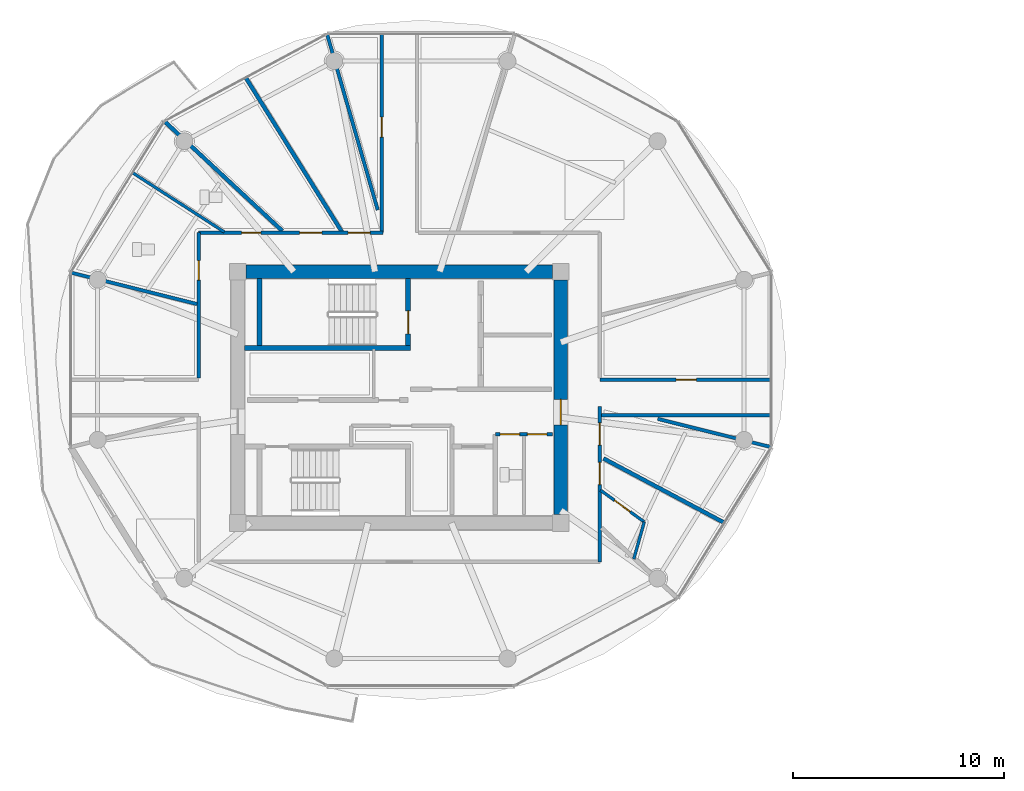
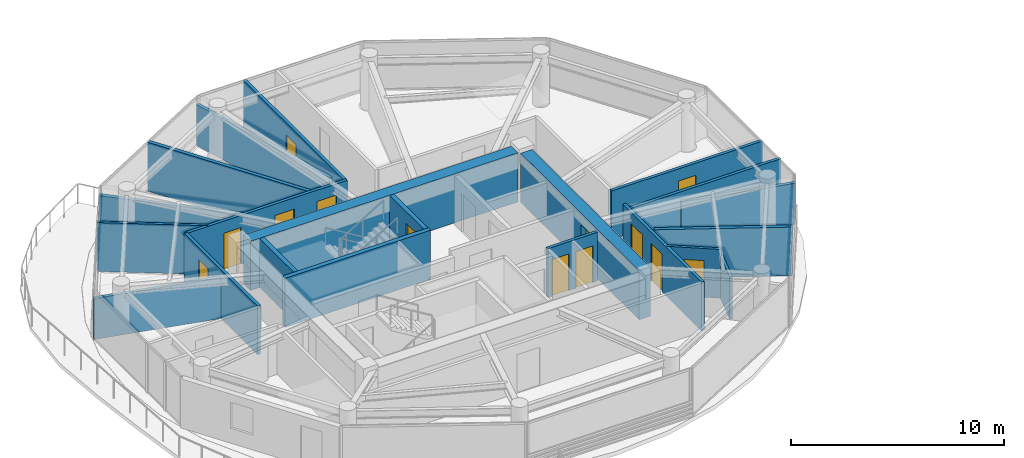
# One storey, part 14 of 25: 21 walls, 13 doors, 13 openings.
"""IFC4 building model written with IfcOpenShell, lengths in metres."""

import ifcopenshell
import ifcopenshell.guid

model = None  # the IFC model being written
_history = None  # IfcOwnerHistory: only IFC2X3 demands one
_inside = {}  # id of a spatial element -> (the spatial element, [elements in it])
_under = {}  # id of a project, library or spatial element -> (it, [spatial elements below it])
_declared = {}  # id of a project -> (the project, [libraries it declares])
_typed = {}  # id of a type object -> (the type object, [elements of that type])
_made_of = {}  # id of a material, layer set ... -> (it, [elements and type objects made of it])


def new_model(schema):
    """Start an empty IFC model of exactly this schema.

    Asked for "IFC4X3", IfcOpenShell would pick the latest addendum, in which some entities
    have other attributes; the version numbers below select the first issue.
    IFC2X3 requires an IfcOwnerHistory on every rooted entity: one is made here for all.
    """
    global model, _history
    if schema == "IFC4X3":
        model = ifcopenshell.file(schema_version=(4, 3, 0, 0))
    else:
        model = ifcopenshell.file(schema=schema)
    _inside.clear()
    _under.clear()
    _declared.clear()
    _typed.clear()
    _made_of.clear()
    _history = None
    if model.schema == "IFC2X3":
        org = make("IfcOrganization", Name="unknown")
        user = make(
            "IfcPersonAndOrganization",
            ThePerson=make("IfcPerson", FamilyName="unknown"),
            TheOrganization=org,
        )
        app = make(
            "IfcApplication",
            ApplicationDeveloper=org,
            Version="unknown",
            ApplicationFullName="unknown",
            ApplicationIdentifier="unknown",
        )
        _history = make(
            "IfcOwnerHistory",
            OwningUser=user,
            OwningApplication=app,
            ChangeAction="ADDED",
            CreationDate=0,
        )
    return model


def make(cls, **values):
    """One entity of the class cls with the attributes given. An attribute that is None is left unset."""
    return model.create_entity(
        cls, **{name: value for name, value in values.items() if value is not None}
    )


def rooted(cls, **values):
    """An entity with a GlobalId (a new one), such as an element, a storey or a relation."""
    return make(cls, GlobalId=ifcopenshell.guid.new(), OwnerHistory=_history, **values)


def si_unit(unit_type, name, prefix=None):
    """IfcSIUnit, for example si_unit("LENGTHUNIT", "METRE", prefix="MILLI")."""
    return make("IfcSIUnit", UnitType=unit_type, Prefix=prefix, Name=name)


def assignment(units):
    """IfcUnitAssignment: the units of a project."""
    return None if units is None else make("IfcUnitAssignment", Units=units)


def point(xyz):
    """IfcCartesianPoint."""
    return None if xyz is None else make("IfcCartesianPoint", Coordinates=xyz)


def direction(xyz):
    """IfcDirection."""
    return None if xyz is None else make("IfcDirection", DirectionRatios=xyz)


def frame(location, z_axis=None, x_axis=None):
    """IfcAxis2Placement3D, a coordinate frame: its origin and axes. An axis left out is left unset."""
    return make(
        "IfcAxis2Placement3D",
        Location=point(location),
        Axis=direction(z_axis),
        RefDirection=direction(x_axis),
    )


def frame_2d(location, x_axis=None):
    """IfcAxis2Placement2D, a coordinate frame in the plane: its origin and x axis."""
    return make(
        "IfcAxis2Placement2D", Location=point(location), RefDirection=direction(x_axis)
    )


def origin():
    """The frame at (0, 0, 0) with its axes left unset."""
    return frame((0.0, 0.0, 0.0))


def place(relative_to, where):
    """IfcLocalPlacement: puts the frame where relative to a parent placement (None: the world)."""
    return make(
        "IfcLocalPlacement", PlacementRelTo=relative_to, RelativePlacement=where
    )


def context(
    kind, dimensions, precision=None, world=None, true_north=None, identifier=None
):
    """IfcGeometricRepresentationContext, for example the 3D "Model" context."""
    return make(
        "IfcGeometricRepresentationContext",
        ContextIdentifier=identifier,
        ContextType=kind,
        CoordinateSpaceDimension=dimensions,
        Precision=precision,
        WorldCoordinateSystem=world,
        TrueNorth=true_north,
    )


def subcontext(parent, identifier, kind, view, scale=None):
    """IfcGeometricRepresentationSubContext, for example "Body" below "Model"."""
    return make(
        "IfcGeometricRepresentationSubContext",
        ContextIdentifier=identifier,
        ContextType=kind,
        ParentContext=parent,
        TargetScale=scale,
        TargetView=view,
    )


def project(units=None, contexts=None):
    """IfcProject with its units and contexts."""
    return rooted(
        "IfcProject",
        Name="project",
        RepresentationContexts=contexts,
        UnitsInContext=assignment(units),
    )


def spatial(cls, under=None, at=None, **own):
    """A site, building, storey or space (cls), placed at a placement, below another one or the project."""
    s = rooted(cls, ObjectPlacement=at, **own)
    if under is not None:
        _under.setdefault(under.id(), (under, []))[1].append(s)
    return s


def profile(cls, at=None, kind="AREA", **sizes):
    """A parametric profile (cls). Its sizes go by their IFC names, for example OverallWidth=200.0."""
    return make(cls, ProfileType=kind, Position=at, **sizes)


def rectangle(**sizes):
    """IfcRectangleProfileDef."""
    return profile("IfcRectangleProfileDef", **sizes)


def extrude(swept, where, along, depth):
    """IfcExtrudedAreaSolid: the profile swept, set in the frame where, extruded along a direction by depth."""
    return make(
        "IfcExtrudedAreaSolid",
        SweptArea=swept,
        Position=where,
        ExtrudedDirection=direction(along),
        Depth=depth,
    )


def shape(context_of_items, identifier, shape_type, items):
    """IfcShapeRepresentation: the items that make up one representation, for example the "Body"."""
    return make(
        "IfcShapeRepresentation",
        ContextOfItems=context_of_items,
        RepresentationIdentifier=identifier,
        RepresentationType=shape_type,
        Items=items,
    )


def source(mapping_origin, context_of_items, identifier, shape_type, items):
    """IfcRepresentationMap: a shape defined once, which mapped items show again and again."""
    return make(
        "IfcRepresentationMap",
        MappingOrigin=mapping_origin,
        MappedRepresentation=shape(context_of_items, identifier, shape_type, items),
    )


def transform(
    local_origin,
    x_axis=None,
    y_axis=None,
    z_axis=None,
    scale=None,
    scale2=None,
    scale3=None,
    uniform=True,
):
    """IfcCartesianTransformationOperator3D, or its non-uniform kind. x_axis, y_axis, z_axis: its Axis1, 2, 3."""
    if uniform:
        return make(
            "IfcCartesianTransformationOperator3D",
            Axis1=direction(x_axis),
            Axis2=direction(y_axis),
            LocalOrigin=point(local_origin),
            Scale=scale,
            Axis3=direction(z_axis),
        )
    return make(
        "IfcCartesianTransformationOperator3DnonUniform",
        Axis1=direction(x_axis),
        Axis2=direction(y_axis),
        LocalOrigin=point(local_origin),
        Scale=scale,
        Axis3=direction(z_axis),
        Scale2=scale2,
        Scale3=scale3,
    )


def mapped(mapping_source, mapping_target):
    """IfcMappedItem: shows the shape of a source again, moved by a transform."""
    return make(
        "IfcMappedItem", MappingSource=mapping_source, MappingTarget=mapping_target
    )


def material(Name=None, Category=None):
    """IfcMaterial."""
    return make("IfcMaterial", Name=Name, Category=Category)


def layer(
    of_material, thickness, ventilated=None, Name=None, Category=None, Priority=None
):
    """IfcMaterialLayer: one layer of a wall or slab, of a material (None: an air gap)."""
    return make(
        "IfcMaterialLayer",
        Material=of_material,
        LayerThickness=thickness,
        IsVentilated=ventilated,
        Name=Name,
        Category=Category,
        Priority=Priority,
    )


def layer_set(layers, Name=None):
    """IfcMaterialLayerSet."""
    return make("IfcMaterialLayerSet", MaterialLayers=layers, LayerSetName=Name)


def made_of(thing, what):
    """Note that an element or type object is made of a material, layer set ...; save() writes the relation."""
    if what is not None:
        _made_of.setdefault(what.id(), (what, []))[1].append(thing)
    return thing


def type_object(cls, material=None, **own):
    """A type object (cls), such as IfcWallType, which elements share."""
    return made_of(rooted(cls, **own), material)


def type_shapes(of_type, sources):
    """Give a type object the sources (RepresentationMaps) that its elements show as mapped items."""
    of_type.RepresentationMaps = sources


def element(
    cls,
    number,
    at=None,
    inside=None,
    cuts=None,
    type_object=None,
    material=None,
    context=None,
    identifier="Body",
    shape_type=None,
    held_by="IfcProductDefinitionShape",
    body=None,
    shapes=None,
    **own,
):
    """One element of the class cls, such as IfcWall. Its Tag is "e" and its number.

    at: its placement. inside: the storey or other place that contains it. cuts: it is an
    opening in that element (IfcRelVoidsElement). A single representation is given by context,
    identifier, shape_type and body (its items); several are given by shapes. held_by: the class
    of the entity that holds the representations. save() writes the other relations.
    """
    e = rooted(cls, Tag="e%d" % number, ObjectPlacement=at, **own)
    if body is not None:
        shapes = [shape(context, identifier, shape_type, body)]
    if shapes is not None:
        e.Representation = make(held_by, Representations=shapes)
    if inside is not None:
        _inside.setdefault(inside.id(), (inside, []))[1].append(e)
    if cuts is not None:
        rooted(
            "IfcRelVoidsElement", RelatingBuildingElement=cuts, RelatedOpeningElement=e
        )
    if type_object is not None:
        _typed.setdefault(type_object.id(), (type_object, []))[1].append(e)
    return made_of(e, material)


def fill(opening, filler):
    """IfcRelFillsElement: the door or window that sits in an opening."""
    return rooted(
        "IfcRelFillsElement",
        RelatingOpeningElement=opening,
        RelatedBuildingElement=filler,
    )


def aggregate(whole, parts):
    """IfcRelAggregates: a whole, such as a stair, and the parts it consists of."""
    return rooted("IfcRelAggregates", RelatingObject=whole, RelatedObjects=parts)


def save(model, path):
    """Write the relations noted so far, then the file.

    IfcRelAggregates (storeys below a building ...), IfcRelContainedInSpatialStructure (elements
    in a storey), IfcRelDefinesByType, IfcRelAssociatesMaterial and IfcRelDeclares: one each for
    every whole, place, type object, material and project.
    """
    for whole, parts in _under.values():
        aggregate(whole, parts)
    for where, things in _inside.values():
        rooted(
            "IfcRelContainedInSpatialStructure",
            RelatedElements=things,
            RelatingStructure=where,
        )
    for kind, things in _typed.values():
        rooted("IfcRelDefinesByType", RelatedObjects=things, RelatingType=kind)
    for what, things in _made_of.values():
        rooted("IfcRelAssociatesMaterial", RelatedObjects=things, RelatingMaterial=what)
    for by, libraries in _declared.values():
        rooted("IfcRelDeclares", RelatingContext=by, RelatedDefinitions=libraries)
    model.write(path)


model = new_model("IFC4")

# Units and contexts
model_context = context("Model", 3, precision=1e-05, world=origin(), true_north=direction((0.0, 1.0)))
body_context = subcontext(model_context, "Body", "Model", "MODEL_VIEW")
ifc_project = project(units=[si_unit("LENGTHUNIT", "METRE"), si_unit("AREAUNIT", "SQUARE_METRE"), si_unit("VOLUMEUNIT", "CUBIC_METRE"), si_unit("PLANEANGLEUNIT", "RADIAN"), si_unit("MASSUNIT", "GRAM", prefix="KILO")], contexts=[model_context])

# Site, building, storey
site_placement = place(None, origin())
site = spatial("IfcSite", under=ifc_project, at=site_placement, CompositionType="ELEMENT")
building_placement = place(site_placement, origin())
building = spatial("IfcBuilding", under=site, at=building_placement, Name="Norrkilde Senior Care Towers", CompositionType="ELEMENT")
storey_placement = place(building_placement, frame((0.0, 0.0, 161.75)))
storey = spatial("IfcBuildingStorey", under=building, at=storey_placement, Name="L50", CompositionType="ELEMENT", Elevation=161.75)

# Wall
ifc_material_1 = material(Name="Concrete C50/60", Category="concrete")
ifc_layer_1 = layer(ifc_material_1, 0.6201171875)
ifc_layer_set_1 = layer_set([ifc_layer_1], Name="Concrete C50/60")
wall_type_1 = type_object("IfcWallType", Name="Core Shear Wall Z3 620", PredefinedType="SHEAR", material=ifc_layer_set_1)
shared_shape_1 = source(origin(), body_context, "Body", "SweptSolid", [
    extrude(rectangle(XDim=14.5, YDim=0.6201171875, at=frame_2d((7.25, 0.0))), origin(), (0.0, 0.0, 1.0), 2.81005859375),
])
wall_1_placement = place(storey_placement, frame((-35.25, 5.949951171875, 0.0), z_axis=(0.0, 0.0, 1.0), x_axis=(1.0, 0.0, 0.0)))
element("IfcWall", 1, at=wall_1_placement, inside=storey, type_object=wall_type_1, Name="L50 Core W North Shear Wall", PredefinedType="SHEAR", context=body_context, shape_type="MappedRepresentation", body=[
    mapped(shared_shape_1, transform((0.0, 0.0, 0.0), x_axis=(1.0, 0.0, 0.0), y_axis=(0.0, 1.0, 0.0), z_axis=(0.0, 0.0, 1.0), scale=1.0)),
])

# Wall, opening, door
shared_shape_2 = source(origin(), body_context, "Body", "SweptSolid", [
    extrude(rectangle(XDim=11.10009765625, YDim=0.6201171875, at=frame_2d((5.550048828125, 0.0))), origin(), (0.0, 0.0, 1.0), 2.81005859375),
])
type_shapes(wall_type_1, [shared_shape_1, shared_shape_2])
wall_2_placement = place(storey_placement, frame((-20.35009765625, 5.550048828125, 0.0), z_axis=(0.0, 0.0, 1.0), x_axis=(0.0, -1.0, 0.0)))
wall_2 = element("IfcWall", 2, at=wall_2_placement, inside=storey, type_object=wall_type_1, Name="L50 Core W East Shear Wall", PredefinedType="SHEAR", context=body_context, shape_type="MappedRepresentation", body=[
    mapped(shared_shape_2, transform((0.0, 0.0, 0.0), x_axis=(1.0, 0.0, 0.0), y_axis=(0.0, 1.0, 0.0), z_axis=(0.0, 0.0, 1.0), scale=1.0)),
])
opening_1_placement = place(wall_2_placement, frame((5.64990234375, 0.0, 0.0)))
opening_1 = element("IfcOpeningElement", 3, at=opening_1_placement, cuts=wall_2, Name="Opening D-04", PredefinedType="OPENING", context=body_context, shape_type="SweptSolid", body=[
    extrude(rectangle(XDim=1.199951171875, YDim=2.14990234375, at=frame_2d((0.60009765625, 1.074951171875))), frame((0.0, 0.320068359375, 0.0), z_axis=(0.0, -1.0, 0.0), x_axis=(1.0, 0.0, 0.0)), (0.0, 0.0, 1.0), 0.64013671875),
])
ifc_material_2 = material(Name="Galvanised Painted Steel", Category="steel")
door_type_1 = type_object("IfcDoorType", Name="Firefighting Lobby Fire Door 1200x2150", OperationType="NOTDEFINED", PredefinedType="DOOR", material=ifc_material_2)
shared_shape_3 = source(origin(), body_context, "Body", "SweptSolid", [
    extrude(rectangle(XDim=1.199951171875, YDim=2.14990234375, at=frame_2d((0.60009765625, 1.074951171875))), frame((0.0, 0.02490234375, 0.0), z_axis=(0.0, -1.0, 0.0), x_axis=(1.0, 0.0, 0.0)), (0.0, 0.0, 1.0), 0.050048828125),
])
type_shapes(door_type_1, [shared_shape_3])
door_1_placement = place(opening_1_placement, frame((1.199951171875, 0.0, 0.0), z_axis=(0.0, 0.0, 1.0), x_axis=(-1.0, 0.0, 0.0)))
door_1 = element("IfcDoor", 4, at=door_1_placement, inside=storey, type_object=door_type_1, Name="L50 Core W East Portal Door", OperationType="SINGLE_SWING_RIGHT", OverallHeight=2.14990234375, OverallWidth=1.199951171875, PredefinedType="DOOR", context=body_context, shape_type="MappedRepresentation", body=[
    mapped(shared_shape_3, transform((0.0, 0.0, 0.0), x_axis=(1.0, 0.0, 0.0), y_axis=(0.0, 1.0, 0.0), z_axis=(0.0, 0.0, 1.0), scale=1.0)),
])
fill(opening_1, door_1)

# Walls
ifc_material_3 = material(Name="Concrete C45/55", Category="concrete")
ifc_layer_2 = layer(ifc_material_3, 0.239990234375)
ifc_layer_set_2 = layer_set([ifc_layer_2], Name="Concrete C45/55")
wall_type_2 = type_object("IfcWallType", Name="Shaft and Stair Enclosure Wall 240", PredefinedType="PARTITIONING", material=ifc_layer_set_2)
shared_shape_4 = source(origin(), body_context, "Body", "SweptSolid", [
    extrude(rectangle(XDim=7.880126953125, YDim=0.239990234375, at=frame_2d((3.93994140625, 0.0))), origin(), (0.0, 0.0, 1.0), 2.81005859375),
])
wall_3_placement = place(storey_placement, frame((-35.340087890625, 2.330078125, 0.0), z_axis=(0.0, 0.0, 1.0), x_axis=(1.0, 0.0, 0.0)))
element("IfcWall", 5, at=wall_3_placement, inside=storey, type_object=wall_type_2, Name="WL-INT-L50-W-ST1S", PredefinedType="PARTITIONING", context=body_context, shape_type="MappedRepresentation", body=[
    mapped(shared_shape_4, transform((0.0, 0.0, 0.0), x_axis=(1.0, 0.0, 0.0), y_axis=(0.0, 1.0, 0.0), z_axis=(0.0, 0.0, 1.0), scale=1.0)),
])
shared_shape_5 = source(origin(), body_context, "Body", "SweptSolid", [
    extrude(rectangle(XDim=3.18994140625, YDim=0.239990234375, at=frame_2d((1.594970703125, 0.0))), origin(), (0.0, 0.0, 1.0), 2.81005859375),
])
type_shapes(wall_type_2, [shared_shape_4, shared_shape_5])
wall_4_placement = place(storey_placement, frame((-34.6201171875, 2.449951171875, 0.0), z_axis=(0.0, 0.0, 1.0), x_axis=(0.0, 1.0, 0.0)))
element("IfcWall", 6, at=wall_4_placement, inside=storey, type_object=wall_type_2, Name="WL-INT-L50-W-ST1W", PredefinedType="PARTITIONING", context=body_context, shape_type="MappedRepresentation", body=[
    mapped(shared_shape_5, transform((0.0, 0.0, 0.0), x_axis=(1.0, 0.0, 0.0), y_axis=(0.0, 1.0, 0.0), z_axis=(0.0, 0.0, 1.0), scale=1.0)),
])

# Wall, opening, door
wall_5_placement = place(storey_placement, frame((-27.580078125, 2.449951171875, 0.0), z_axis=(0.0, 0.0, 1.0), x_axis=(0.0, 1.0, 0.0)))
wall_5 = element("IfcWall", 7, at=wall_5_placement, inside=storey, type_object=wall_type_2, Name="WL-INT-L50-W-ST1E", PredefinedType="PARTITIONING", context=body_context, shape_type="MappedRepresentation", body=[
    mapped(shared_shape_5, transform((0.0, 0.0, 0.0), x_axis=(1.0, 0.0, 0.0), y_axis=(0.0, 1.0, 0.0), z_axis=(0.0, 0.0, 1.0), scale=1.0)),
])
opening_2_placement = place(wall_5_placement, frame((0.550048828125, 0.0, 0.0)))
opening_2 = element("IfcOpeningElement", 8, at=opening_2_placement, cuts=wall_5, Name="Opening D-03", PredefinedType="OPENING", context=body_context, shape_type="SweptSolid", body=[
    extrude(rectangle(XDim=1.10009765625, YDim=2.14990234375, at=frame_2d((0.550048828125, 1.074951171875))), frame((0.0, 0.1298828125, 0.0), z_axis=(0.0, -1.0, 0.0), x_axis=(1.0, 0.0, 0.0)), (0.0, 0.0, 1.0), 0.260009765625),
])
door_type_2 = type_object("IfcDoorType", Name="Stairwell Protected Fire Door 1100x2150", OperationType="NOTDEFINED", PredefinedType="DOOR", material=ifc_material_2)
shared_shape_6 = source(origin(), body_context, "Body", "SweptSolid", [
    extrude(rectangle(XDim=1.10009765625, YDim=2.14990234375, at=frame_2d((0.550048828125, 1.074951171875))), frame((0.0, 0.02490234375, 0.0), z_axis=(0.0, -1.0, 0.0), x_axis=(1.0, 0.0, 0.0)), (0.0, 0.0, 1.0), 0.050048828125),
])
type_shapes(door_type_2, [shared_shape_6])
door_2_placement = place(opening_2_placement, origin())
door_2 = element("IfcDoor", 9, at=door_2_placement, inside=storey, type_object=door_type_2, Name="L50 Stair W1 Fire Door", OperationType="SINGLE_SWING_LEFT", OverallHeight=2.14990234375, OverallWidth=1.10009765625, PredefinedType="DOOR", context=body_context, shape_type="MappedRepresentation", body=[
    mapped(shared_shape_6, transform((0.0, 0.0, 0.0), x_axis=(1.0, 0.0, 0.0), y_axis=(0.0, 1.0, 0.0), z_axis=(0.0, 0.0, 1.0), scale=1.0)),
])
fill(opening_2, door_2)

# Wall, openings, doors
ifc_material_4 = material(Name="Gypsum Acoustic Board")
ifc_layer_3 = layer(ifc_material_4, 0.1650390625)
ifc_layer_set_3 = layer_set([ifc_layer_3], Name="Gypsum Acoustic Board")
wall_type_3 = type_object("IfcWallType", Name="Corridor Rated Partition 165", PredefinedType="PARTITIONING", material=ifc_layer_set_3)
shared_shape_7 = source(origin(), body_context, "Body", "SweptSolid", [
    extrude(rectangle(XDim=2.699951171875, YDim=0.1650390625, at=frame_2d((1.35009765625, 0.0))), origin(), (0.0, 0.0, 1.0), 2.794921875),
])
wall_6_placement = place(storey_placement, frame((-23.449951171875, -1.75, 0.0), z_axis=(0.0, 0.0, 1.0), x_axis=(1.0, 0.0, 0.0)))
wall_6 = element("IfcWall", 10, at=wall_6_placement, inside=storey, type_object=wall_type_3, Name="WL-INT-L50-W-CSN", PredefinedType="PARTITIONING", context=body_context, shape_type="MappedRepresentation", body=[
    mapped(shared_shape_7, transform((0.0, 0.0, 0.0), x_axis=(1.0, 0.0, 0.0), y_axis=(0.0, 1.0, 0.0), z_axis=(0.0, 0.0, 1.0), scale=1.0)),
])
opening_3_placement = place(wall_6_placement, frame((0.222412109375, 0.0, 0.0)))
opening_3 = element("IfcOpeningElement", 11, at=opening_3_placement, cuts=wall_6, Name="Opening D-12", PredefinedType="OPENING", context=body_context, shape_type="SweptSolid", body=[
    extrude(rectangle(XDim=0.925048828125, YDim=2.10009765625, at=frame_2d((0.46240234375, 1.050048828125))), frame((0.0, 0.092529296875, 0.0), z_axis=(0.0, -1.0, 0.0), x_axis=(1.0, 0.0, 0.0)), (0.0, 0.0, 1.0), 0.18505859375),
])
opening_4_placement = place(wall_6_placement, frame((1.5224609375, 0.0, 0.0)))
opening_4 = element("IfcOpeningElement", 12, at=opening_4_placement, cuts=wall_6, Name="Opening D-12", PredefinedType="OPENING", context=body_context, shape_type="SweptSolid", body=[
    extrude(rectangle(XDim=0.925048828125, YDim=2.10009765625, at=frame_2d((0.46240234375, 1.050048828125))), frame((0.0, 0.092529296875, 0.0), z_axis=(0.0, -1.0, 0.0), x_axis=(1.0, 0.0, 0.0)), (0.0, 0.0, 1.0), 0.18505859375),
])
door_type_3 = type_object("IfcDoorType", Name="Core Wet Room Rated Door 925x2100", OperationType="NOTDEFINED", PredefinedType="DOOR", material=ifc_material_2)
shared_shape_8 = source(origin(), body_context, "Body", "SweptSolid", [
    extrude(rectangle(XDim=0.925048828125, YDim=2.10009765625, at=frame_2d((0.46240234375, 1.050048828125))), frame((0.0, 0.02490234375, 0.0), z_axis=(0.0, -1.0, 0.0), x_axis=(1.0, 0.0, 0.0)), (0.0, 0.0, 1.0), 0.050048828125),
])
type_shapes(door_type_3, [shared_shape_8])
door_3_placement = place(opening_3_placement, origin())
door_3 = element("IfcDoor", 13, at=door_3_placement, inside=storey, type_object=door_type_3, Name="L50 Staff Accessible WC W Door", OperationType="SINGLE_SWING_LEFT", OverallHeight=2.10009765625, OverallWidth=0.925048828125, PredefinedType="DOOR", context=body_context, shape_type="MappedRepresentation", body=[
    mapped(shared_shape_8, transform((0.0, 0.0, 0.0), x_axis=(1.0, 0.0, 0.0), y_axis=(0.0, 1.0, 0.0), z_axis=(0.0, 0.0, 1.0), scale=1.0)),
])
fill(opening_3, door_3)
door_4_placement = place(opening_4_placement, origin())
door_4 = element("IfcDoor", 14, at=door_4_placement, inside=storey, type_object=door_type_3, Name="L50 Housekeeping Store W Door", OperationType="SINGLE_SWING_RIGHT", OverallHeight=2.10009765625, OverallWidth=0.925048828125, PredefinedType="DOOR", context=body_context, shape_type="MappedRepresentation", body=[
    mapped(shared_shape_8, transform((0.0, 0.0, 0.0), x_axis=(1.0, 0.0, 0.0), y_axis=(0.0, 1.0, 0.0), z_axis=(0.0, 0.0, 1.0), scale=1.0)),
])
fill(opening_4, door_4)

# Wall
ifc_layer_4 = layer(ifc_material_4, 0.18994140625)
ifc_layer_set_4 = layer_set([ifc_layer_4], Name="Gypsum Acoustic Board")
wall_type_4 = type_object("IfcWallType", Name="Unit Demising Acoustic Wall 190", PredefinedType="PARTITIONING", material=ifc_layer_set_4)
shared_shape_9 = source(origin(), body_context, "Body", "SweptSolid", [
    extrude(rectangle(XDim=6.499267578125, YDim=0.18994140625, at=frame_2d((3.24951171875, 0.0))), origin(), (0.0, 0.0, 1.0), 2.794921875),
])
wall_7_placement = place(storey_placement, frame((-18.32373046875, -2.89794921875, 0.0), z_axis=(0.0, 0.0, 1.0), x_axis=(0.882700013711, -0.469936895545, 0.0)))
element("IfcWall", 15, at=wall_7_placement, inside=storey, type_object=wall_type_4, Name="WL-INT-L50-W-CMID-10", PredefinedType="PARTITIONING", context=body_context, shape_type="MappedRepresentation", body=[
    mapped(shared_shape_9, transform((0.0, 0.0, 0.0), x_axis=(1.0, 0.0, 0.0), y_axis=(0.0, 1.0, 0.0), z_axis=(0.0, 0.0, 1.0), scale=1.0)),
])

# Wall, opening, door
ifc_layer_5 = layer(ifc_material_4, 0.139892578125)
ifc_layer_set_5 = layer_set([ifc_layer_5], Name="Gypsum Acoustic Board")
wall_type_5 = type_object("IfcWallType", Name="En-suite Wet Room Wall 140", PredefinedType="PARTITIONING", material=ifc_layer_set_5)
shared_shape_10 = source(origin(), body_context, "Body", "SweptSolid", [
    extrude(rectangle(XDim=2.563232421875, YDim=0.139892578125, at=frame_2d((1.28173828125, 0.0))), origin(), (0.0, 0.0, 1.0), 2.794921875),
])
wall_8_placement = place(storey_placement, frame((-18.469970703125, -4.39697265625, 0.0), z_axis=(0.0, 0.0, 1.0), x_axis=(0.809308208957, -0.587384220859, 0.0)))
wall_8 = element("IfcWall", 16, at=wall_8_placement, inside=storey, type_object=wall_type_5, Name="WL-INT-L50-W-ES-10A", PredefinedType="PARTITIONING", context=body_context, shape_type="MappedRepresentation", body=[
    mapped(shared_shape_10, transform((0.0, 0.0, 0.0), x_axis=(1.0, 0.0, 0.0), y_axis=(0.0, 1.0, 0.0), z_axis=(0.0, 0.0, 1.0), scale=1.0)),
])
opening_5_placement = place(wall_8_placement, frame((0.821533203125, 0.0, 0.0)))
opening_5 = element("IfcOpeningElement", 17, at=opening_5_placement, cuts=wall_8, Name="Opening D-08", PredefinedType="OPENING", context=body_context, shape_type="SweptSolid", body=[
    extrude(rectangle(XDim=0.919921875, YDim=2.10009765625, at=frame_2d((0.4599609375, 1.050048828125))), frame((0.0, 0.079833984375, 0.0), z_axis=(0.0, -1.0, 0.0), x_axis=(1.0, 0.0, 0.0)), (0.0, 0.0, 1.0), 0.159912109375),
])
ifc_material_5 = material(Name="Nordic Ash Timber", Category="wood")
door_type_4 = type_object("IfcDoorType", Name="Accessible Wet Room Door 920x2100", OperationType="NOTDEFINED", PredefinedType="DOOR", material=ifc_material_5)
shared_shape_11 = source(origin(), body_context, "Body", "SweptSolid", [
    extrude(rectangle(XDim=0.919921875, YDim=2.10009765625, at=frame_2d((0.4599609375, 1.050048828125))), frame((0.0, 0.02490234375, 0.0), z_axis=(0.0, -1.0, 0.0), x_axis=(1.0, 0.0, 0.0)), (0.0, 0.0, 1.0), 0.050048828125),
])
type_shapes(door_type_4, [shared_shape_11])
door_5_placement = place(opening_5_placement, origin())
door_5 = element("IfcDoor", 18, at=door_5_placement, inside=storey, type_object=door_type_4, Name="L50 Care Suite 5010A Bathroom Door", OperationType="SINGLE_SWING_RIGHT", OverallHeight=2.10009765625, OverallWidth=0.919921875, PredefinedType="DOOR", context=body_context, shape_type="MappedRepresentation", body=[
    mapped(shared_shape_11, transform((0.0, 0.0, 0.0), x_axis=(1.0, 0.0, 0.0), y_axis=(0.0, 1.0, 0.0), z_axis=(0.0, 0.0, 1.0), scale=1.0)),
])
fill(opening_5, door_5)

# Wall
shared_shape_12 = source(origin(), body_context, "Body", "SweptSolid", [
    extrude(rectangle(XDim=1.825927734375, YDim=0.139892578125, at=frame_2d((0.9130859375, 0.0))), origin(), (0.0, 0.0, 1.0), 2.43505859375),
])
wall_9_placement = place(storey_placement, frame((-16.3955078125, -5.902587890625, 0.0), z_axis=(0.0, 0.0, 1.0), x_axis=(-0.270745576918, -0.962650940154, 0.0)))
element("IfcWall", 19, at=wall_9_placement, inside=storey, type_object=wall_type_5, Name="WL-INT-L50-W-EF-10A", PredefinedType="PARTITIONING", context=body_context, shape_type="MappedRepresentation", body=[
    mapped(shared_shape_12, transform((0.0, 0.0, 0.0), x_axis=(1.0, 0.0, 0.0), y_axis=(0.0, 1.0, 0.0), z_axis=(0.0, 0.0, 1.0), scale=1.0)),
])

# Wall, openings, doors
shared_shape_13 = source(origin(), body_context, "Body", "SweptSolid", [
    extrude(rectangle(XDim=8.719482421875, YDim=0.1650390625, at=frame_2d((4.35986328125, 0.0))), origin(), (0.0, 0.0, 1.0), 2.794921875),
])
wall_10_placement = place(storey_placement, frame((-37.5, 7.800048828125, 0.0), z_axis=(0.0, 0.0, 1.0), x_axis=(1.0, 0.0, 0.0)))
wall_10 = element("IfcWall", 20, at=wall_10_placement, inside=storey, type_object=wall_type_3, Name="WL-INT-L50-W-CRW-N-0", PredefinedType="PARTITIONING", context=body_context, shape_type="MappedRepresentation", body=[
    mapped(shared_shape_13, transform((0.0, 0.0, 0.0), x_axis=(1.0, 0.0, 0.0), y_axis=(0.0, 1.0, 0.0), z_axis=(0.0, 0.0, 1.0), scale=1.0)),
])
opening_6_placement = place(wall_10_placement, frame((7.073486328125, 0.0, 0.0)))
opening_6 = element("IfcOpeningElement", 21, at=opening_6_placement, cuts=wall_10, Name="Opening D-06", PredefinedType="OPENING", context=body_context, shape_type="SweptSolid", body=[
    extrude(rectangle(XDim=1.050048828125, YDim=2.14990234375, at=frame_2d((0.52490234375, 1.074951171875))), frame((0.0, 0.092529296875, 0.0), z_axis=(0.0, -1.0, 0.0), x_axis=(1.0, 0.0, 0.0)), (0.0, 0.0, 1.0), 0.18505859375),
])
opening_7_placement = place(wall_10_placement, frame((4.78466796875, 0.0, 0.0)))
opening_7 = element("IfcOpeningElement", 22, at=opening_7_placement, cuts=wall_10, Name="Opening D-06", PredefinedType="OPENING", context=body_context, shape_type="SweptSolid", body=[
    extrude(rectangle(XDim=1.050048828125, YDim=2.14990234375, at=frame_2d((0.52490234375, 1.074951171875))), frame((0.0, 0.092529296875, 0.0), z_axis=(0.0, -1.0, 0.0), x_axis=(1.0, 0.0, 0.0)), (0.0, 0.0, 1.0), 0.18505859375),
])
opening_8_placement = place(wall_10_placement, frame((2.027587890625, 0.0, 0.0)))
opening_8 = element("IfcOpeningElement", 23, at=opening_8_placement, cuts=wall_10, Name="Opening D-08", PredefinedType="OPENING", context=body_context, shape_type="SweptSolid", body=[
    extrude(rectangle(XDim=0.919921875, YDim=2.10009765625, at=frame_2d((0.4599609375, 1.050048828125))), frame((0.0, 0.092529296875, 0.0), z_axis=(0.0, -1.0, 0.0), x_axis=(1.0, 0.0, 0.0)), (0.0, 0.0, 1.0), 0.18505859375),
])
door_6_placement = place(opening_8_placement, frame((0.919921875, 0.0, 0.0), z_axis=(0.0, 0.0, 1.0), x_axis=(-1.0, 0.0, 0.0)))
door_6 = element("IfcDoor", 24, at=door_6_placement, inside=storey, type_object=door_type_4, Name="L50 Accessible Restroom Door", OperationType="SINGLE_SWING_LEFT", OverallHeight=2.10009765625, OverallWidth=0.919921875, PredefinedType="DOOR", context=body_context, shape_type="MappedRepresentation", body=[
    mapped(shared_shape_11, transform((0.0, 0.0, 0.0), x_axis=(1.0, 0.0, 0.0), y_axis=(0.0, 1.0, 0.0), z_axis=(0.0, 0.0, 1.0), scale=1.0)),
])
fill(opening_8, door_6)
door_type_5 = type_object("IfcDoorType", Name="Apartment Entrance Fire Door 1050x2150", OperationType="NOTDEFINED", PredefinedType="DOOR", material=ifc_material_5)
shared_shape_14 = source(origin(), body_context, "Body", "SweptSolid", [
    extrude(rectangle(XDim=1.050048828125, YDim=2.14990234375, at=frame_2d((0.52490234375, 1.074951171875))), frame((0.0, 0.02490234375, 0.0), z_axis=(0.0, -1.0, 0.0), x_axis=(1.0, 0.0, 0.0)), (0.0, 0.0, 1.0), 0.050048828125),
])
type_shapes(door_type_5, [shared_shape_14])
door_7_placement = place(opening_6_placement, frame((1.050048828125, 0.0, 0.0), z_axis=(0.0, 0.0, 1.0), x_axis=(-1.0, 0.0, 0.0)))
door_7 = element("IfcDoor", 25, at=door_7_placement, inside=storey, type_object=door_type_5, Name="L50 Physiotherapy Clinic 3A Door", OperationType="SINGLE_SWING_RIGHT", OverallHeight=2.14990234375, OverallWidth=1.050048828125, PredefinedType="DOOR", context=body_context, shape_type="MappedRepresentation", body=[
    mapped(shared_shape_14, transform((0.0, 0.0, 0.0), x_axis=(1.0, 0.0, 0.0), y_axis=(0.0, 1.0, 0.0), z_axis=(0.0, 0.0, 1.0), scale=1.0)),
])
fill(opening_6, door_7)
door_8_placement = place(opening_7_placement, frame((1.050048828125, 0.0, 0.0), z_axis=(0.0, 0.0, 1.0), x_axis=(-1.0, 0.0, 0.0)))
door_8 = element("IfcDoor", 26, at=door_8_placement, inside=storey, type_object=door_type_5, Name="L50 Assessment Clinic 3B Door", OperationType="SINGLE_SWING_LEFT", OverallHeight=2.14990234375, OverallWidth=1.050048828125, PredefinedType="DOOR", context=body_context, shape_type="MappedRepresentation", body=[
    mapped(shared_shape_14, transform((0.0, 0.0, 0.0), x_axis=(1.0, 0.0, 0.0), y_axis=(0.0, 1.0, 0.0), z_axis=(0.0, 0.0, 1.0), scale=1.0)),
])
fill(opening_7, door_8)

# Walls
shared_shape_15 = source(origin(), body_context, "Body", "SweptSolid", [
    extrude(rectangle(XDim=7.64794921875, YDim=0.18994140625, at=frame_2d((3.823974609375, 0.0))), origin(), (0.0, 0.0, 1.0), 2.344970703125),
])
wall_11_placement = place(storey_placement, frame((-33.53759765625, 7.8798828125, 0.0), z_axis=(0.0, 0.0, 1.0), x_axis=(-0.732167856666, 0.681124239522, 0.0)))
element("IfcWall", 27, at=wall_11_placement, inside=storey, type_object=wall_type_4, Name="WL-INT-L50-W-DEM-04-0", PredefinedType="PARTITIONING", context=body_context, shape_type="MappedRepresentation", body=[
    mapped(shared_shape_15, transform((0.0, 0.0, 0.0), x_axis=(1.0, 0.0, 0.0), y_axis=(0.0, 1.0, 0.0), z_axis=(0.0, 0.0, 1.0), scale=1.0)),
])
shared_shape_16 = source(origin(), body_context, "Body", "SweptSolid", [
    extrude(rectangle(XDim=5.19677734375, YDim=0.139892578125, at=frame_2d((2.598388671875, 0.0))), origin(), (0.0, 0.0, 1.0), 2.794921875),
])
type_shapes(wall_type_5, [shared_shape_10, shared_shape_12, shared_shape_16])
wall_12_placement = place(storey_placement, frame((-36.285888671875, 7.830078125, 0.0), z_axis=(0.0, 0.0, 1.0), x_axis=(-0.839929187515, 0.542696010637, 0.0)))
element("IfcWall", 28, at=wall_12_placement, inside=storey, type_object=wall_type_5, Name="WL-INT-L50-W-MID-04", PredefinedType="PARTITIONING", context=body_context, shape_type="MappedRepresentation", body=[
    mapped(shared_shape_16, transform((0.0, 0.0, 0.0), x_axis=(1.0, 0.0, 0.0), y_axis=(0.0, 1.0, 0.0), z_axis=(0.0, 0.0, 1.0), scale=1.0)),
])
shared_shape_17 = source(origin(), body_context, "Body", "SweptSolid", [
    extrude(rectangle(XDim=8.695068359375, YDim=0.1650390625, at=frame_2d((4.34765625, 0.0))), origin(), (0.0, 0.0, 1.0), 2.344970703125),
])
wall_13_placement = place(storey_placement, frame((-29.02001953125, 8.875, 0.0), z_axis=(0.0, 0.0, 1.0), x_axis=(-0.276797231892, 0.960928349263, 0.0)))
element("IfcWall", 29, at=wall_13_placement, inside=storey, type_object=wall_type_3, Name="WL-INT-L50-W-DEM-03-0", PredefinedType="PARTITIONING", context=body_context, shape_type="MappedRepresentation", body=[
    mapped(shared_shape_17, transform((0.0, 0.0, 0.0), x_axis=(1.0, 0.0, 0.0), y_axis=(0.0, 1.0, 0.0), z_axis=(0.0, 0.0, 1.0), scale=1.0)),
])
shared_shape_18 = source(origin(), body_context, "Body", "SweptSolid", [
    extrude(rectangle(XDim=6.192626953125, YDim=0.1650390625, at=frame_2d((3.09619140625, 0.0))), origin(), (0.0, 0.0, 1.0), 2.344970703125),
])
wall_14_placement = place(storey_placement, frame((-37.580078125, 4.418701171875, 0.0), z_axis=(0.0, 0.0, 1.0), x_axis=(-0.970309243466, 0.241867674657, 0.0)))
element("IfcWall", 30, at=wall_14_placement, inside=storey, type_object=wall_type_3, Name="WL-INT-L50-W-DEM-05-0", PredefinedType="PARTITIONING", context=body_context, shape_type="MappedRepresentation", body=[
    mapped(shared_shape_18, transform((0.0, 0.0, 0.0), x_axis=(1.0, 0.0, 0.0), y_axis=(0.0, 1.0, 0.0), z_axis=(0.0, 0.0, 1.0), scale=1.0)),
])
shared_shape_19 = source(origin(), body_context, "Body", "SweptSolid", [
    extrude(rectangle(XDim=5.564453125, YDim=0.1650390625, at=frame_2d((2.7822265625, 0.0))), origin(), (0.0, 0.0, 1.0), 2.344970703125),
])
wall_15_placement = place(storey_placement, frame((-15.76025390625, -1.02001953125, 0.0), z_axis=(0.0, 0.0, 1.0), x_axis=(0.970315176167, -0.241843872984, 0.0)))
element("IfcWall", 31, at=wall_15_placement, inside=storey, type_object=wall_type_3, Name="WL-INT-L50-W-DEM-11-0", PredefinedType="PARTITIONING", context=body_context, shape_type="MappedRepresentation", body=[
    mapped(shared_shape_19, transform((0.0, 0.0, 0.0), x_axis=(1.0, 0.0, 0.0), y_axis=(0.0, 1.0, 0.0), z_axis=(0.0, 0.0, 1.0), scale=1.0)),
])

# Wall, opening, door
shared_shape_20 = source(origin(), body_context, "Body", "SweptSolid", [
    extrude(rectangle(XDim=6.880126953125, YDim=0.1650390625, at=frame_2d((3.43994140625, 0.0))), origin(), (0.0, 0.0, 1.0), 2.794921875),
])
wall_16_placement = place(storey_placement, frame((-37.5, 0.919921875, 0.0), z_axis=(0.0, 0.0, 1.0), x_axis=(0.0, 1.0, 0.0)))
wall_16 = element("IfcWall", 32, at=wall_16_placement, inside=storey, type_object=wall_type_3, Name="WL-INT-L50-W-CRW-W-1", PredefinedType="PARTITIONING", context=body_context, shape_type="MappedRepresentation", body=[
    mapped(shared_shape_20, transform((0.0, 0.0, 0.0), x_axis=(1.0, 0.0, 0.0), y_axis=(0.0, 1.0, 0.0), z_axis=(0.0, 0.0, 1.0), scale=1.0)),
])
opening_9_placement = place(wall_16_placement, frame((4.63623046875, 0.0, 0.0)))
opening_9 = element("IfcOpeningElement", 33, at=opening_9_placement, cuts=wall_16, Name="Opening D-08", PredefinedType="OPENING", context=body_context, shape_type="SweptSolid", body=[
    extrude(rectangle(XDim=0.919921875, YDim=2.10009765625, at=frame_2d((0.4599609375, 1.050048828125))), frame((0.0, 0.092529296875, 0.0), z_axis=(0.0, -1.0, 0.0), x_axis=(1.0, 0.0, 0.0)), (0.0, 0.0, 1.0), 0.18505859375),
])
door_9_placement = place(opening_9_placement, frame((0.919921875, 0.0, 0.0), z_axis=(0.0, 0.0, 1.0), x_axis=(-1.0, 0.0, 0.0)))
door_9 = element("IfcDoor", 34, at=door_9_placement, inside=storey, type_object=door_type_4, Name="L50 Public Restroom Door", OperationType="SINGLE_SWING_RIGHT", OverallHeight=2.10009765625, OverallWidth=0.919921875, PredefinedType="DOOR", context=body_context, shape_type="MappedRepresentation", body=[
    mapped(shared_shape_11, transform((0.0, 0.0, 0.0), x_axis=(1.0, 0.0, 0.0), y_axis=(0.0, 1.0, 0.0), z_axis=(0.0, 0.0, 1.0), scale=1.0)),
])
fill(opening_9, door_9)

# Wall, openings, doors
shared_shape_21 = source(origin(), body_context, "Body", "SweptSolid", [
    extrude(rectangle(XDim=7.364501953125, YDim=0.1650390625, at=frame_2d((3.68212890625, 0.0))), origin(), (0.0, 0.0, 1.0), 2.794921875),
])
wall_17_placement = place(storey_placement, frame((-18.5, -0.435546875, 0.0), z_axis=(0.0, 0.0, 1.0), x_axis=(0.0, -1.0, 0.0)))
wall_17 = element("IfcWall", 35, at=wall_17_placement, inside=storey, type_object=wall_type_3, Name="WL-INT-L50-W-CRW-E-1", PredefinedType="PARTITIONING", context=body_context, shape_type="MappedRepresentation", body=[
    mapped(shared_shape_21, transform((0.0, 0.0, 0.0), x_axis=(1.0, 0.0, 0.0), y_axis=(0.0, 1.0, 0.0), z_axis=(0.0, 0.0, 1.0), scale=1.0)),
])
opening_10_placement = place(wall_17_placement, frame((2.6455078125, 0.0, 0.0)))
opening_10 = element("IfcOpeningElement", 36, at=opening_10_placement, cuts=wall_17, Name="Opening D-06", PredefinedType="OPENING", context=body_context, shape_type="SweptSolid", body=[
    extrude(rectangle(XDim=1.050048828125, YDim=2.14990234375, at=frame_2d((0.52490234375, 1.074951171875))), frame((0.0, 0.092529296875, 0.0), z_axis=(0.0, -1.0, 0.0), x_axis=(1.0, 0.0, 0.0)), (0.0, 0.0, 1.0), 0.18505859375),
])
opening_11_placement = place(wall_17_placement, frame((0.774169921875, 0.0, 0.0)))
opening_11 = element("IfcOpeningElement", 37, at=opening_11_placement, cuts=wall_17, Name="Opening D-06", PredefinedType="OPENING", context=body_context, shape_type="SweptSolid", body=[
    extrude(rectangle(XDim=1.050048828125, YDim=2.14990234375, at=frame_2d((0.52490234375, 1.074951171875))), frame((0.0, 0.092529296875, 0.0), z_axis=(0.0, -1.0, 0.0), x_axis=(1.0, 0.0, 0.0)), (0.0, 0.0, 1.0), 0.18505859375),
])
door_10_placement = place(opening_10_placement, frame((1.050048828125, 0.0, 0.0), z_axis=(0.0, 0.0, 1.0), x_axis=(-1.0, 0.0, 0.0)))
door_10 = element("IfcDoor", 38, at=door_10_placement, inside=storey, type_object=door_type_5, Name="L50 Care Suite 5010A Entrance Door", OperationType="SINGLE_SWING_LEFT", OverallHeight=2.14990234375, OverallWidth=1.050048828125, PredefinedType="DOOR", context=body_context, shape_type="MappedRepresentation", body=[
    mapped(shared_shape_14, transform((0.0, 0.0, 0.0), x_axis=(1.0, 0.0, 0.0), y_axis=(0.0, 1.0, 0.0), z_axis=(0.0, 0.0, 1.0), scale=1.0)),
])
fill(opening_10, door_10)
door_11_placement = place(opening_11_placement, frame((1.050048828125, 0.0, 0.0), z_axis=(0.0, 0.0, 1.0), x_axis=(-1.0, 0.0, 0.0)))
door_11 = element("IfcDoor", 39, at=door_11_placement, inside=storey, type_object=door_type_5, Name="L50 Therapy Day Lounge 10 Door", OperationType="SINGLE_SWING_RIGHT", OverallHeight=2.14990234375, OverallWidth=1.050048828125, PredefinedType="DOOR", context=body_context, shape_type="MappedRepresentation", body=[
    mapped(shared_shape_14, transform((0.0, 0.0, 0.0), x_axis=(1.0, 0.0, 0.0), y_axis=(0.0, 1.0, 0.0), z_axis=(0.0, 0.0, 1.0), scale=1.0)),
])
fill(opening_11, door_11)

# Wall, opening, door
shared_shape_22 = source(origin(), body_context, "Body", "SweptSolid", [
    extrude(rectangle(XDim=9.480224609375, YDim=0.1650390625, at=frame_2d((4.740234375, 0.0))), origin(), (0.0, 0.0, 1.0), 2.794921875),
])
wall_18_placement = place(storey_placement, frame((-28.840087890625, 7.800048828125, 0.0), z_axis=(0.0, 0.0, 1.0), x_axis=(0.0, 1.0, 0.0)))
wall_18 = element("IfcWall", 40, at=wall_18_placement, inside=storey, type_object=wall_type_3, Name="WL-INT-L50-W-SPK-N1-0", PredefinedType="PARTITIONING", context=body_context, shape_type="MappedRepresentation", body=[
    mapped(shared_shape_22, transform((0.0, 0.0, 0.0), x_axis=(1.0, 0.0, 0.0), y_axis=(0.0, 1.0, 0.0), z_axis=(0.0, 0.0, 1.0), scale=1.0)),
])
opening_12_placement = place(wall_18_placement, frame((4.5205078125, 0.0, 0.0)))
opening_12 = element("IfcOpeningElement", 41, at=opening_12_placement, cuts=wall_18, Name="Opening D-07", PredefinedType="OPENING", context=body_context, shape_type="SweptSolid", body=[
    extrude(rectangle(XDim=0.949951171875, YDim=2.10009765625, at=frame_2d((0.47509765625, 1.050048828125))), frame((0.0, 0.092529296875, 0.0), z_axis=(0.0, -1.0, 0.0), x_axis=(1.0, 0.0, 0.0)), (0.0, 0.0, 1.0), 0.18505859375),
])
door_type_6 = type_object("IfcDoorType", Name="Internal Suite Bedroom Door 950x2100", OperationType="NOTDEFINED", PredefinedType="DOOR", material=ifc_material_5)
shared_shape_23 = source(origin(), body_context, "Body", "SweptSolid", [
    extrude(rectangle(XDim=0.949951171875, YDim=2.10009765625, at=frame_2d((0.47509765625, 1.050048828125))), frame((0.0, 0.02490234375, 0.0), z_axis=(0.0, -1.0, 0.0), x_axis=(1.0, 0.0, 0.0)), (0.0, 0.0, 1.0), 0.050048828125),
])
type_shapes(door_type_6, [shared_shape_23])
door_12_placement = place(opening_12_placement, frame((0.949951171875, 0.0, 0.0), z_axis=(0.0, 0.0, 1.0), x_axis=(-1.0, 0.0, 0.0)))
door_12 = element("IfcDoor", 42, at=door_12_placement, inside=storey, type_object=door_type_6, Name="L50 Sun Reading Lounge 3 Door", OperationType="SINGLE_SWING_RIGHT", OverallHeight=2.10009765625, OverallWidth=0.949951171875, PredefinedType="DOOR", context=body_context, shape_type="MappedRepresentation", body=[
    mapped(shared_shape_23, transform((0.0, 0.0, 0.0), x_axis=(1.0, 0.0, 0.0), y_axis=(0.0, 1.0, 0.0), z_axis=(0.0, 0.0, 1.0), scale=1.0)),
])
fill(opening_12, door_12)

shared_shape_24 = source(origin(), body_context, "Body", "SweptSolid", [
    extrude(rectangle(XDim=8.18896484375, YDim=0.1650390625, at=frame_2d((4.094482421875, 0.0))), origin(), (0.0, 0.0, 1.0), 2.794921875),
])
type_shapes(wall_type_3, [shared_shape_7, shared_shape_13, shared_shape_17, shared_shape_18, shared_shape_19, shared_shape_20, shared_shape_21, shared_shape_22, shared_shape_24])
wall_19_placement = place(storey_placement, frame((-18.5, 0.840087890625, 0.0), z_axis=(0.0, 0.0, 1.0), x_axis=(1.0, 0.0, 0.0)))
wall_19 = element("IfcWall", 43, at=wall_19_placement, inside=storey, type_object=wall_type_3, Name="WL-INT-L50-W-SPK-E1-0", PredefinedType="PARTITIONING", context=body_context, shape_type="MappedRepresentation", body=[
    mapped(shared_shape_24, transform((0.0, 0.0, 0.0), x_axis=(1.0, 0.0, 0.0), y_axis=(0.0, 1.0, 0.0), z_axis=(0.0, 0.0, 1.0), scale=1.0)),
])
opening_13_placement = place(wall_19_placement, frame((3.619384765625, 0.0, 0.0)))
opening_13 = element("IfcOpeningElement", 44, at=opening_13_placement, cuts=wall_19, Name="Opening D-07", PredefinedType="OPENING", context=body_context, shape_type="SweptSolid", body=[
    extrude(rectangle(XDim=0.949951171875, YDim=2.10009765625, at=frame_2d((0.47509765625, 1.050048828125))), frame((0.0, 0.092529296875, 0.0), z_axis=(0.0, -1.0, 0.0), x_axis=(1.0, 0.0, 0.0)), (0.0, 0.0, 1.0), 0.18505859375),
])
door_13_placement = place(opening_13_placement, frame((0.949951171875, 0.0, 0.0), z_axis=(0.0, 0.0, 1.0), x_axis=(-1.0, 0.0, 0.0)))
door_13 = element("IfcDoor", 45, at=door_13_placement, inside=storey, type_object=door_type_6, Name="L50 Sun Reading Lounge 5 Door", OperationType="SINGLE_SWING_RIGHT", OverallHeight=2.10009765625, OverallWidth=0.949951171875, PredefinedType="DOOR", context=body_context, shape_type="MappedRepresentation", body=[
    mapped(shared_shape_23, transform((0.0, 0.0, 0.0), x_axis=(1.0, 0.0, 0.0), y_axis=(0.0, 1.0, 0.0), z_axis=(0.0, 0.0, 1.0), scale=1.0)),
])
fill(opening_13, door_13)

# Walls
wall_20_placement = place(storey_placement, frame((-10.31103515625, -0.840087890625, 0.0), z_axis=(0.0, 0.0, 1.0), x_axis=(-1.0, 0.0, 0.0)))
element("IfcWall", 46, at=wall_20_placement, inside=storey, type_object=wall_type_3, Name="WL-INT-L50-W-SPK-E2-0", PredefinedType="PARTITIONING", context=body_context, shape_type="MappedRepresentation", body=[
    mapped(shared_shape_24, transform((0.0, 0.0, 0.0), x_axis=(1.0, 0.0, 0.0), y_axis=(0.0, 1.0, 0.0), z_axis=(0.0, 0.0, 1.0), scale=1.0)),
])
shared_shape_25 = source(origin(), body_context, "Body", "SweptSolid", [
    extrude(rectangle(XDim=8.637939453125, YDim=0.18994140625, at=frame_2d((4.31884765625, 0.0))), origin(), (0.0, 0.0, 1.0), 2.794921875),
])
type_shapes(wall_type_4, [shared_shape_9, shared_shape_15, shared_shape_25])
wall_21_placement = place(storey_placement, frame((-30.711181640625, 7.830078125, 0.0), z_axis=(0.0, 0.0, 1.0), x_axis=(-0.529150133108, 0.848528217935, 0.0)))
element("IfcWall", 47, at=wall_21_placement, inside=storey, type_object=wall_type_4, Name="WL-INT-L50-W-MID-03", PredefinedType="PARTITIONING", context=body_context, shape_type="MappedRepresentation", body=[
    mapped(shared_shape_25, transform((0.0, 0.0, 0.0), x_axis=(1.0, 0.0, 0.0), y_axis=(0.0, 1.0, 0.0), z_axis=(0.0, 0.0, 1.0), scale=1.0)),
])

save(model, "model.ifc")
